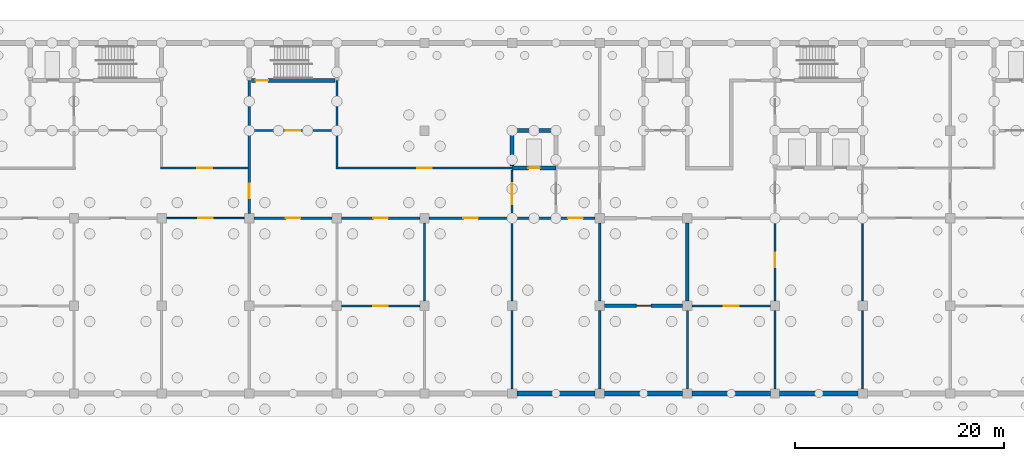
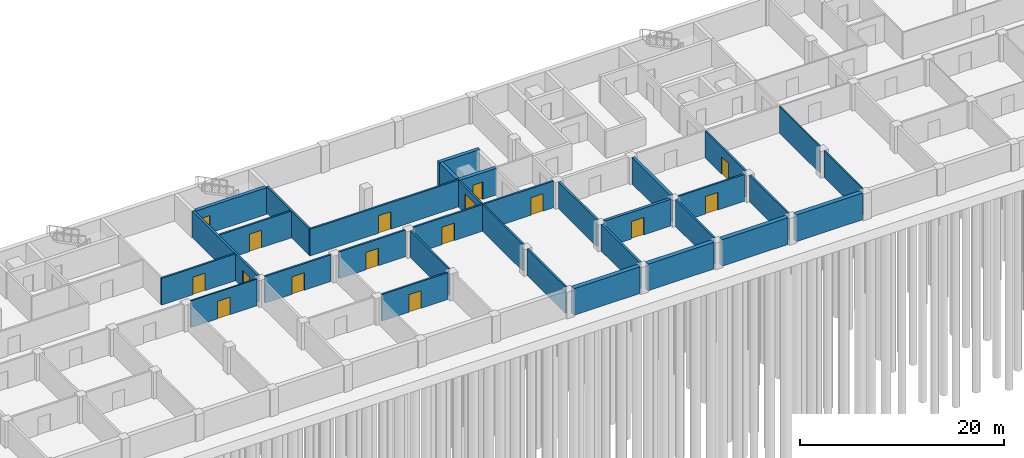
# One storey, part 6 of 11: 32 walls, 16 doors, 16 openings.
"""IFC4 building model written with IfcOpenShell, lengths in metres."""

from ifc_helpers import new_model, si_unit, direction, frame, frame_2d, origin, place, context, subcontext, project, spatial, rectangle, extrude, material, layer, layer_set, type_object, element, fill, save


model = new_model("IFC4")

# Units and contexts
model_context = context("Model", 3, precision=1e-05, world=origin(), true_north=direction((0.0, 1.0)))
body_context = subcontext(model_context, "Body", "Model", "MODEL_VIEW")
ifc_project = project(units=[si_unit("LENGTHUNIT", "METRE"), si_unit("AREAUNIT", "SQUARE_METRE"), si_unit("VOLUMEUNIT", "CUBIC_METRE"), si_unit("PLANEANGLEUNIT", "RADIAN"), si_unit("MASSUNIT", "GRAM", prefix="KILO")], contexts=[model_context])

# Site, building, storey
site_placement = place(None, origin())
site = spatial("IfcSite", under=ifc_project, at=site_placement, CompositionType="ELEMENT")
building_placement = place(site_placement, origin())
building = spatial("IfcBuilding", under=site, at=building_placement, Name="Yavir Park General Hospital", CompositionType="ELEMENT")
storey_placement = place(building_placement, frame((0.0, 0.0, -15.0)))
storey = spatial("IfcBuildingStorey", under=building, at=storey_placement, Name="B4", CompositionType="ELEMENT", Elevation=-15.0)

# Wall, opening, door
ifc_material_1 = material(Name="Block wall with 100 mm insulated panel lining")
ifc_layer_1 = layer(ifc_material_1, 0.320068359375)
ifc_layer_set_1 = layer_set([ifc_layer_1], Name="Block wall with 100 mm insulated panel lining")
wall_type_1 = type_object("IfcWallType", Name="Cold-store insulated wall 320, EI 60", PredefinedType="SOLIDWALL", material=ifc_layer_set_1)
wall_1_placement = place(storey_placement, frame((101.25, 8.39990234375, 0.0), z_axis=(0.0, 0.0, 1.0), x_axis=(1.0, 0.0, 0.0)))
wall_1 = element("IfcWall", 1, at=wall_1_placement, inside=storey, type_object=wall_type_1, Name="CS320 B4-007", PredefinedType="SOLIDWALL", context=body_context, shape_type="SweptSolid", body=[
    extrude(rectangle(XDim=7.5, YDim=0.320068359375, at=frame_2d((3.75, 0.0))), origin(), (0.0, 0.0, 1.0), 3.199951171875),
])
opening_1_placement = place(wall_1_placement, frame((3.050048828125, 0.0, 0.0)))
opening_1 = element("IfcOpeningElement", 2, at=opening_1_placement, cuts=wall_1, Name="Opening B4.D007", PredefinedType="OPENING", context=body_context, shape_type="SweptSolid", body=[
    extrude(rectangle(XDim=1.39990234375, YDim=2.10009765625, at=frame_2d((0.699951171875, 1.050048828125))), frame((0.0, 0.169921875, 0.0), z_axis=(0.0, -1.0, 0.0), x_axis=(1.0, 0.0, 0.0)), (0.0, 0.0, 1.0), 0.340087890625),
])
ifc_material_2 = material(Name="Insulated sandwich-panel leaves, 100 mm polyurethane core")
door_type_1 = type_object("IfcDoorType", Name="Insulated cold-store door 1400 x 2100, EI 60", OperationType="DOUBLE_DOOR_SINGLE_SWING", PredefinedType="DOOR", material=ifc_material_2)
door_1_placement = place(opening_1_placement, origin())
door_1 = element("IfcDoor", 3, at=door_1_placement, inside=storey, type_object=door_type_1, Name="B4.D007", OperationType="SINGLE_SWING_LEFT", OverallHeight=2.10009765625, OverallWidth=1.39990234375, PredefinedType="DOOR", context=body_context, shape_type="SweptSolid", body=[
    extrude(rectangle(XDim=1.39990234375, YDim=2.10009765625, at=frame_2d((0.699951171875, 1.050048828125))), frame((0.0, 0.050048828125, 0.0), z_axis=(0.0, -1.0, 0.0), x_axis=(1.0, 0.0, 0.0)), (0.0, 0.0, 1.0), 0.10009765625),
])
fill(opening_1, door_1)

# Wall
wall_2_placement = place(storey_placement, frame((109.199951171875, 8.85009765625, 0.0), z_axis=(0.0, 0.0, 1.0), x_axis=(0.0, 1.0, 0.0)))
element("IfcWall", 4, at=wall_2_placement, inside=storey, type_object=wall_type_1, Name="CS320 B4-112", PredefinedType="SOLIDWALL", context=body_context, shape_type="SweptSolid", body=[
    extrude(rectangle(XDim=7.5, YDim=0.320068359375, at=frame_2d((3.75, 0.0))), origin(), (0.0, 0.0, 1.0), 3.199951171875),
])

# Wall, opening, door
ifc_material_3 = material(Name="Concrete C30/37", Category="concrete")
ifc_layer_2 = layer(ifc_material_3, 0.25)
ifc_layer_set_2 = layer_set([ifc_layer_2], Name="Concrete C30/37")
wall_type_2 = type_object("IfcWallType", Name="Compartment fire wall 250, REI 150", PredefinedType="SOLIDWALL", material=ifc_layer_set_2)
wall_3_placement = place(storey_placement, frame((67.199951171875, 17.25, 0.0), z_axis=(0.0, 0.0, 1.0), x_axis=(0.0, 1.0, 0.0)))
wall_3 = element("IfcWall", 5, at=wall_3_placement, inside=storey, type_object=wall_type_2, Name="FW25 B4-090", PredefinedType="SOLIDWALL", context=body_context, shape_type="SweptSolid", body=[
    extrude(rectangle(XDim=12.75, YDim=0.25, at=frame_2d((6.375, 0.0))), origin(), (0.0, 0.0, 1.0), 3.199951171875),
])
opening_2_placement = place(wall_3_placement, frame((1.47509765625, 0.0, 0.0)))
opening_2 = element("IfcOpeningElement", 6, at=opening_2_placement, cuts=wall_3, Name="Opening B4.D061", PredefinedType="OPENING", context=body_context, shape_type="SweptSolid", body=[
    extrude(rectangle(XDim=1.39990234375, YDim=2.10009765625, at=frame_2d((0.699951171875, 1.050048828125))), frame((0.0, 0.135009765625, 0.0), z_axis=(0.0, -1.0, 0.0), x_axis=(1.0, 0.0, 0.0)), (0.0, 0.0, 1.0), 0.27001953125),
])
ifc_material_4 = material(Name="Steel frame, fire-resisting leaves with vision panels", Category="steel")
door_type_2 = type_object("IfcDoorType", Name="Double fire door with vision panels 1400 x 2100, EI 60", OperationType="DOUBLE_DOOR_SINGLE_SWING", PredefinedType="DOOR", material=ifc_material_4)
door_2_placement = place(opening_2_placement, origin())
door_2 = element("IfcDoor", 7, at=door_2_placement, inside=storey, type_object=door_type_2, Name="B4.D061", OperationType="SINGLE_SWING_LEFT", OverallHeight=2.10009765625, OverallWidth=1.39990234375, PredefinedType="DOOR", context=body_context, shape_type="SweptSolid", body=[
    extrude(rectangle(XDim=1.39990234375, YDim=2.10009765625, at=frame_2d((0.699951171875, 1.050048828125))), frame((0.0, 0.030029296875, 0.0), z_axis=(0.0, -1.0, 0.0), x_axis=(1.0, 0.0, 0.0)), (0.0, 0.0, 1.0), 0.06005859375),
])
fill(opening_2, door_2)

# Walls
for number, where, z_axis, x_axis, name in (
    (8, (100.800048828125, 0.449951171875, 0.0), (0.0, 0.0, 1.0), (0.0, 1.0, 0.0), "FW25 B4-104"),
    (9, (100.800048828125, 8.85009765625, 0.0), (0.0, 0.0, 1.0), (0.0, 1.0, 0.0), "FW25 B4-105"),
):
    element("IfcWall", number, at=place(storey_placement, frame(where, z_axis=z_axis, x_axis=x_axis)), inside=storey, type_object=wall_type_2, Name=name, PredefinedType="SOLIDWALL", context=body_context, shape_type="SweptSolid", body=[
        extrude(rectangle(XDim=7.5, YDim=0.25, at=frame_2d((3.75, 0.0))), origin(), (0.0, 0.0, 1.0), 3.199951171875),
    ])

# Wall, opening, door
ifc_material_5 = material(Name="Double gypsum board fire partition on steel studs", Category="steel")
ifc_layer_3 = layer(ifc_material_5, 0.199951171875)
ifc_layer_set_3 = layer_set([ifc_layer_3], Name="Double gypsum board fire partition on steel studs")
wall_type_3 = type_object("IfcWallType", Name="Fire-rated partition 200, EI 60", PredefinedType="PARTITIONING", material=ifc_layer_set_3)
wall_4_placement = place(storey_placement, frame((76.050048828125, 8.39990234375, 0.0), z_axis=(0.0, 0.0, 1.0), x_axis=(1.0, 0.0, 0.0)))
wall_4 = element("IfcWall", 10, at=wall_4_placement, inside=storey, type_object=wall_type_3, Name="FP20 B4-006", PredefinedType="PARTITIONING", context=body_context, shape_type="SweptSolid", body=[
    extrude(rectangle(XDim=7.5, YDim=0.199951171875, at=frame_2d((3.75, 0.0))), origin(), (0.0, 0.0, 1.0), 3.199951171875),
])
opening_3_placement = place(wall_4_placement, frame((3.050048828125, 0.0, 0.0)))
opening_3 = element("IfcOpeningElement", 11, at=opening_3_placement, cuts=wall_4, Name="Opening B4.D006", PredefinedType="OPENING", context=body_context, shape_type="SweptSolid", body=[
    extrude(rectangle(XDim=1.39990234375, YDim=2.10009765625, at=frame_2d((0.699951171875, 1.050048828125))), frame((0.0, 0.10986328125, 0.0), z_axis=(0.0, -1.0, 0.0), x_axis=(1.0, 0.0, 0.0)), (0.0, 0.0, 1.0), 0.219970703125),
])
ifc_material_6 = material(Name="Steel frame, fire-resisting timber leaves", Category="steel")
door_type_3 = type_object("IfcDoorType", Name="Double fire door 1400 x 2100, EI 60", OperationType="DOUBLE_DOOR_SINGLE_SWING", PredefinedType="DOOR", material=ifc_material_6)
door_3_placement = place(opening_3_placement, origin())
door_3 = element("IfcDoor", 12, at=door_3_placement, inside=storey, type_object=door_type_3, Name="B4.D006", OperationType="SINGLE_SWING_LEFT", OverallHeight=2.10009765625, OverallWidth=1.39990234375, PredefinedType="DOOR", context=body_context, shape_type="SweptSolid", body=[
    extrude(rectangle(XDim=1.39990234375, YDim=2.10009765625, at=frame_2d((0.699951171875, 1.050048828125))), frame((0.0, 0.02490234375, 0.0), z_axis=(0.0, -1.0, 0.0), x_axis=(1.0, 0.0, 0.0)), (0.0, 0.0, 1.0), 0.050048828125),
])
fill(opening_3, door_3)

wall_5_placement = place(storey_placement, frame((109.64990234375, 8.39990234375, 0.0), z_axis=(0.0, 0.0, 1.0), x_axis=(1.0, 0.0, 0.0)))
wall_5 = element("IfcWall", 13, at=wall_5_placement, inside=storey, type_object=wall_type_3, Name="FP20 B4-008", PredefinedType="PARTITIONING", context=body_context, shape_type="SweptSolid", body=[
    extrude(rectangle(XDim=7.5, YDim=0.199951171875, at=frame_2d((3.75, 0.0))), origin(), (0.0, 0.0, 1.0), 3.199951171875),
])
opening_4_placement = place(wall_5_placement, frame((3.050048828125, 0.0, 0.0)))
opening_4 = element("IfcOpeningElement", 14, at=opening_4_placement, cuts=wall_5, Name="Opening B4.D008", PredefinedType="OPENING", context=body_context, shape_type="SweptSolid", body=[
    extrude(rectangle(XDim=1.39990234375, YDim=2.10009765625, at=frame_2d((0.699951171875, 1.050048828125))), frame((0.0, 0.10986328125, 0.0), z_axis=(0.0, -1.0, 0.0), x_axis=(1.0, 0.0, 0.0)), (0.0, 0.0, 1.0), 0.219970703125),
])
door_4_placement = place(opening_4_placement, origin())
door_4 = element("IfcDoor", 15, at=door_4_placement, inside=storey, type_object=door_type_3, Name="B4.D008", OperationType="SINGLE_SWING_LEFT", OverallHeight=2.10009765625, OverallWidth=1.39990234375, PredefinedType="DOOR", context=body_context, shape_type="SweptSolid", body=[
    extrude(rectangle(XDim=1.39990234375, YDim=2.10009765625, at=frame_2d((0.699951171875, 1.050048828125))), frame((0.0, 0.02490234375, 0.0), z_axis=(0.0, -1.0, 0.0), x_axis=(1.0, 0.0, 0.0)), (0.0, 0.0, 1.0), 0.050048828125),
])
fill(opening_4, door_4)

wall_6_placement = place(storey_placement, frame((67.64990234375, 16.800048828125, 0.0), z_axis=(0.0, 0.0, 1.0), x_axis=(1.0, 0.0, 0.0)))
wall_6 = element("IfcWall", 16, at=wall_6_placement, inside=storey, type_object=wall_type_3, Name="FP20 B4-018", PredefinedType="PARTITIONING", context=body_context, shape_type="SweptSolid", body=[
    extrude(rectangle(XDim=7.5, YDim=0.199951171875, at=frame_2d((3.75, 0.0))), origin(), (0.0, 0.0, 1.0), 3.199951171875),
])
opening_5_placement = place(wall_6_placement, frame((3.050048828125, 0.0, 0.0)))
opening_5 = element("IfcOpeningElement", 17, at=opening_5_placement, cuts=wall_6, Name="Opening B4.D019", PredefinedType="OPENING", context=body_context, shape_type="SweptSolid", body=[
    extrude(rectangle(XDim=1.39990234375, YDim=2.10009765625, at=frame_2d((0.699951171875, 1.050048828125))), frame((0.0, 0.10986328125, 0.0), z_axis=(0.0, -1.0, 0.0), x_axis=(1.0, 0.0, 0.0)), (0.0, 0.0, 1.0), 0.219970703125),
])
door_5_placement = place(opening_5_placement, origin())
door_5 = element("IfcDoor", 18, at=door_5_placement, inside=storey, type_object=door_type_3, Name="B4.D019", OperationType="SINGLE_SWING_LEFT", OverallHeight=2.10009765625, OverallWidth=1.39990234375, PredefinedType="DOOR", context=body_context, shape_type="SweptSolid", body=[
    extrude(rectangle(XDim=1.39990234375, YDim=2.10009765625, at=frame_2d((0.699951171875, 1.050048828125))), frame((0.0, 0.02490234375, 0.0), z_axis=(0.0, -1.0, 0.0), x_axis=(1.0, 0.0, 0.0)), (0.0, 0.0, 1.0), 0.050048828125),
])
fill(opening_5, door_5)

wall_7_placement = place(storey_placement, frame((76.050048828125, 16.800048828125, 0.0), z_axis=(0.0, 0.0, 1.0), x_axis=(1.0, 0.0, 0.0)))
wall_7 = element("IfcWall", 19, at=wall_7_placement, inside=storey, type_object=wall_type_3, Name="FP20 B4-019", PredefinedType="PARTITIONING", context=body_context, shape_type="SweptSolid", body=[
    extrude(rectangle(XDim=7.5, YDim=0.199951171875, at=frame_2d((3.75, 0.0))), origin(), (0.0, 0.0, 1.0), 3.199951171875),
])
opening_6_placement = place(wall_7_placement, frame((3.050048828125, 0.0, 0.0)))
opening_6 = element("IfcOpeningElement", 20, at=opening_6_placement, cuts=wall_7, Name="Opening B4.D020", PredefinedType="OPENING", context=body_context, shape_type="SweptSolid", body=[
    extrude(rectangle(XDim=1.39990234375, YDim=2.10009765625, at=frame_2d((0.699951171875, 1.050048828125))), frame((0.0, 0.10986328125, 0.0), z_axis=(0.0, -1.0, 0.0), x_axis=(1.0, 0.0, 0.0)), (0.0, 0.0, 1.0), 0.219970703125),
])
door_6_placement = place(opening_6_placement, origin())
door_6 = element("IfcDoor", 21, at=door_6_placement, inside=storey, type_object=door_type_3, Name="B4.D020", OperationType="SINGLE_SWING_LEFT", OverallHeight=2.10009765625, OverallWidth=1.39990234375, PredefinedType="DOOR", context=body_context, shape_type="SweptSolid", body=[
    extrude(rectangle(XDim=1.39990234375, YDim=2.10009765625, at=frame_2d((0.699951171875, 1.050048828125))), frame((0.0, 0.02490234375, 0.0), z_axis=(0.0, -1.0, 0.0), x_axis=(1.0, 0.0, 0.0)), (0.0, 0.0, 1.0), 0.050048828125),
])
fill(opening_6, door_6)

# Wall, openings, doors
wall_8_placement = place(storey_placement, frame((84.449951171875, 16.800048828125, 0.0), z_axis=(0.0, 0.0, 1.0), x_axis=(1.0, 0.0, 0.0)))
wall_8 = element("IfcWall", 22, at=wall_8_placement, inside=storey, type_object=wall_type_3, Name="FP20 B4-020", PredefinedType="PARTITIONING", context=body_context, shape_type="SweptSolid", body=[
    extrude(rectangle(XDim=15.900146484375, YDim=0.199951171875, at=frame_2d((7.9501953125, 0.0))), origin(), (0.0, 0.0, 1.0), 3.199951171875),
])
opening_7_placement = place(wall_8_placement, frame((3.27490234375, 0.0, 0.0)))
opening_7 = element("IfcOpeningElement", 23, at=opening_7_placement, cuts=wall_8, Name="Opening B4.D021", PredefinedType="OPENING", context=body_context, shape_type="SweptSolid", body=[
    extrude(rectangle(XDim=1.39990234375, YDim=2.10009765625, at=frame_2d((0.699951171875, 1.050048828125))), frame((0.0, 0.10986328125, 0.0), z_axis=(0.0, -1.0, 0.0), x_axis=(1.0, 0.0, 0.0)), (0.0, 0.0, 1.0), 0.219970703125),
])
opening_8_placement = place(wall_8_placement, frame((13.324951171875, 0.0, 0.0)))
opening_8 = element("IfcOpeningElement", 24, at=opening_8_placement, cuts=wall_8, Name="Opening B4.D022", PredefinedType="OPENING", context=body_context, shape_type="SweptSolid", body=[
    extrude(rectangle(XDim=1.39990234375, YDim=2.10009765625, at=frame_2d((0.699951171875, 1.050048828125))), frame((0.0, 0.10986328125, 0.0), z_axis=(0.0, -1.0, 0.0), x_axis=(1.0, 0.0, 0.0)), (0.0, 0.0, 1.0), 0.219970703125),
])
door_7_placement = place(opening_7_placement, origin())
door_7 = element("IfcDoor", 25, at=door_7_placement, inside=storey, type_object=door_type_3, Name="B4.D021", OperationType="SINGLE_SWING_RIGHT", OverallHeight=2.10009765625, OverallWidth=1.39990234375, PredefinedType="DOOR", context=body_context, shape_type="SweptSolid", body=[
    extrude(rectangle(XDim=1.39990234375, YDim=2.10009765625, at=frame_2d((0.699951171875, 1.050048828125))), frame((0.0, 0.02490234375, 0.0), z_axis=(0.0, -1.0, 0.0), x_axis=(1.0, 0.0, 0.0)), (0.0, 0.0, 1.0), 0.050048828125),
])
fill(opening_7, door_7)
door_8_placement = place(opening_8_placement, origin())
door_8 = element("IfcDoor", 26, at=door_8_placement, inside=storey, type_object=door_type_3, Name="B4.D022", OperationType="SINGLE_SWING_RIGHT", OverallHeight=2.10009765625, OverallWidth=1.39990234375, PredefinedType="DOOR", context=body_context, shape_type="SweptSolid", body=[
    extrude(rectangle(XDim=1.39990234375, YDim=2.10009765625, at=frame_2d((0.699951171875, 1.050048828125))), frame((0.0, 0.02490234375, 0.0), z_axis=(0.0, -1.0, 0.0), x_axis=(1.0, 0.0, 0.0)), (0.0, 0.0, 1.0), 0.050048828125),
])
fill(opening_8, door_8)

# Wall, opening, door
wall_9_placement = place(storey_placement, frame((58.699951171875, 21.60009765625, 0.0), z_axis=(0.0, 0.0, 1.0), x_axis=(1.0, 0.0, 0.0)))
wall_9 = element("IfcWall", 27, at=wall_9_placement, inside=storey, type_object=wall_type_3, Name="FP20 B4-031", PredefinedType="PARTITIONING", context=body_context, shape_type="SweptSolid", body=[
    extrude(rectangle(XDim=8.375, YDim=0.199951171875, at=frame_2d((4.1875, 0.0))), origin(), (0.0, 0.0, 1.0), 3.199951171875),
])
opening_9_placement = place(wall_9_placement, frame((3.53759765625, 0.0, 0.0)))
opening_9 = element("IfcOpeningElement", 28, at=opening_9_placement, cuts=wall_9, Name="Opening B4.D034", PredefinedType="OPENING", context=body_context, shape_type="SweptSolid", body=[
    extrude(rectangle(XDim=1.39990234375, YDim=2.10009765625, at=frame_2d((0.699951171875, 1.050048828125))), frame((0.0, 0.10986328125, 0.0), z_axis=(0.0, -1.0, 0.0), x_axis=(1.0, 0.0, 0.0)), (0.0, 0.0, 1.0), 0.219970703125),
])
door_9_placement = place(opening_9_placement, origin())
door_9 = element("IfcDoor", 29, at=door_9_placement, inside=storey, type_object=door_type_3, Name="B4.D034", OperationType="SINGLE_SWING_RIGHT", OverallHeight=2.10009765625, OverallWidth=1.39990234375, PredefinedType="DOOR", context=body_context, shape_type="SweptSolid", body=[
    extrude(rectangle(XDim=1.39990234375, YDim=2.10009765625, at=frame_2d((0.699951171875, 1.050048828125))), frame((0.0, 0.02490234375, 0.0), z_axis=(0.0, -1.0, 0.0), x_axis=(1.0, 0.0, 0.0)), (0.0, 0.0, 1.0), 0.050048828125),
])
fill(opening_9, door_9)

wall_10_placement = place(storey_placement, frame((75.5, 21.60009765625, 0.0), z_axis=(0.0, 0.0, 1.0), x_axis=(1.0, 0.0, 0.0)))
wall_10 = element("IfcWall", 30, at=wall_10_placement, inside=storey, type_object=wall_type_3, Name="FP20 B4-032", PredefinedType="PARTITIONING", context=body_context, shape_type="SweptSolid", body=[
    extrude(rectangle(XDim=16.89990234375, YDim=0.199951171875, at=frame_2d((8.449951171875, 0.0))), origin(), (0.0, 0.0, 1.0), 3.199951171875),
])
opening_10_placement = place(wall_10_placement, frame((7.800048828125, 0.0, 0.0)))
opening_10 = element("IfcOpeningElement", 31, at=opening_10_placement, cuts=wall_10, Name="Opening B4.D035", PredefinedType="OPENING", context=body_context, shape_type="SweptSolid", body=[
    extrude(rectangle(XDim=1.39990234375, YDim=2.10009765625, at=frame_2d((0.699951171875, 1.050048828125))), frame((0.0, 0.10986328125, 0.0), z_axis=(0.0, -1.0, 0.0), x_axis=(1.0, 0.0, 0.0)), (0.0, 0.0, 1.0), 0.219970703125),
])
door_10_placement = place(opening_10_placement, origin())
door_10 = element("IfcDoor", 32, at=door_10_placement, inside=storey, type_object=door_type_3, Name="B4.D035", OperationType="SINGLE_SWING_RIGHT", OverallHeight=2.10009765625, OverallWidth=1.39990234375, PredefinedType="DOOR", context=body_context, shape_type="SweptSolid", body=[
    extrude(rectangle(XDim=1.39990234375, YDim=2.10009765625, at=frame_2d((0.699951171875, 1.050048828125))), frame((0.0, 0.02490234375, 0.0), z_axis=(0.0, -1.0, 0.0), x_axis=(1.0, 0.0, 0.0)), (0.0, 0.0, 1.0), 0.050048828125),
])
fill(opening_10, door_10)

wall_11_placement = place(storey_placement, frame((67.324951171875, 25.199951171875, 0.0), z_axis=(0.0, 0.0, 1.0), x_axis=(1.0, 0.0, 0.0)))
wall_11 = element("IfcWall", 33, at=wall_11_placement, inside=storey, type_object=wall_type_3, Name="FP20 B4-044", PredefinedType="PARTITIONING", context=body_context, shape_type="SweptSolid", body=[
    extrude(rectangle(XDim=8.175048828125, YDim=0.199951171875, at=frame_2d((4.08740234375, 0.0))), origin(), (0.0, 0.0, 1.0), 3.199951171875),
])
opening_11_placement = place(wall_11_placement, frame((3.387451171875, 0.0, 0.0)))
opening_11 = element("IfcOpeningElement", 34, at=opening_11_placement, cuts=wall_11, Name="Opening B4.D045", PredefinedType="OPENING", context=body_context, shape_type="SweptSolid", body=[
    extrude(rectangle(XDim=1.39990234375, YDim=2.10009765625, at=frame_2d((0.699951171875, 1.050048828125))), frame((0.0, 0.10986328125, 0.0), z_axis=(0.0, -1.0, 0.0), x_axis=(1.0, 0.0, 0.0)), (0.0, 0.0, 1.0), 0.219970703125),
])
door_11_placement = place(opening_11_placement, origin())
door_11 = element("IfcDoor", 35, at=door_11_placement, inside=storey, type_object=door_type_2, Name="B4.D045", OperationType="SINGLE_SWING_RIGHT", OverallHeight=2.10009765625, OverallWidth=1.39990234375, PredefinedType="DOOR", context=body_context, shape_type="SweptSolid", body=[
    extrude(rectangle(XDim=1.39990234375, YDim=2.10009765625, at=frame_2d((0.699951171875, 1.050048828125))), frame((0.0, 0.030029296875, 0.0), z_axis=(0.0, -1.0, 0.0), x_axis=(1.0, 0.0, 0.0)), (0.0, 0.0, 1.0), 0.06005859375),
])
fill(opening_11, door_11)

# Walls
wall_12_placement = place(storey_placement, frame((75.60009765625, 21.699951171875, 0.0), z_axis=(0.0, 0.0, 1.0), x_axis=(0.0, 1.0, 0.0)))
element("IfcWall", 36, at=wall_12_placement, inside=storey, type_object=wall_type_3, Name="FP20 B4-094", PredefinedType="PARTITIONING", context=body_context, shape_type="SweptSolid", body=[
    extrude(rectangle(XDim=8.300048828125, YDim=0.199951171875, at=frame_2d((4.14990234375, 0.0))), origin(), (0.0, 0.0, 1.0), 3.199951171875),
])
for number, where, z_axis, x_axis, name in (
    (37, (84.0, 8.85009765625, 0.0), (0.0, 0.0, 1.0), (0.0, 1.0, 0.0), "FP20 B4-097"),
    (38, (92.39990234375, 0.449951171875, 0.0), (0.0, 0.0, 1.0), (0.0, 1.0, 0.0), "FP20 B4-098"),
):
    element("IfcWall", number, at=place(storey_placement, frame(where, z_axis=z_axis, x_axis=x_axis)), inside=storey, type_object=wall_type_3, Name=name, PredefinedType="PARTITIONING", context=body_context, shape_type="SweptSolid", body=[
        extrude(rectangle(XDim=7.5, YDim=0.199951171875, at=frame_2d((3.75, 0.0))), origin(), (0.0, 0.0, 1.0), 3.199951171875),
    ])
wall_13_placement = place(storey_placement, frame((92.39990234375, 8.85009765625, 0.0), z_axis=(0.0, 0.0, 1.0), x_axis=(0.0, 1.0, 0.0)))
element("IfcWall", 39, at=wall_13_placement, inside=storey, type_object=wall_type_3, Name="FP20 B4-099", PredefinedType="PARTITIONING", context=body_context, shape_type="SweptSolid", body=[
    extrude(rectangle(XDim=7.849853515625, YDim=0.199951171875, at=frame_2d((3.9248046875, 0.0))), origin(), (0.0, 0.0, 1.0), 3.199951171875),
])

# Wall, opening, door
wall_14_placement = place(storey_placement, frame((92.39990234375, 16.89990234375, 0.0), z_axis=(0.0, 0.0, 1.0), x_axis=(0.0, 1.0, 0.0)))
wall_14 = element("IfcWall", 40, at=wall_14_placement, inside=storey, type_object=wall_type_3, Name="FP20 B4-100", PredefinedType="PARTITIONING", context=body_context, shape_type="SweptSolid", body=[
    extrude(rectangle(XDim=4.5, YDim=0.199951171875, at=frame_2d((2.25, 0.0))), origin(), (0.0, 0.0, 1.0), 3.199951171875),
])
opening_12_placement = place(wall_14_placement, frame((1.25, 0.0, 0.0)))
opening_12 = element("IfcOpeningElement", 41, at=opening_12_placement, cuts=wall_14, Name="Opening B4.D062", PredefinedType="OPENING", context=body_context, shape_type="SweptSolid", body=[
    extrude(rectangle(XDim=2.0, YDim=2.39990234375, at=frame_2d((1.0, 1.199951171875))), frame((0.0, 0.10986328125, 0.0), z_axis=(0.0, -1.0, 0.0), x_axis=(1.0, 0.0, 0.0)), (0.0, 0.0, 1.0), 0.219970703125),
])
ifc_material_7 = material(Name="Steel frame, fire-resisting leaves with vision panels", Category="steel")
door_type_4 = type_object("IfcDoorType", Name="Double fire door with vision panels 2000 x 2400, EI 60", OperationType="DOUBLE_DOOR_SINGLE_SWING", PredefinedType="DOOR", material=ifc_material_7)
door_12_placement = place(opening_12_placement, origin())
door_12 = element("IfcDoor", 42, at=door_12_placement, inside=storey, type_object=door_type_4, Name="B4.D062", OperationType="SINGLE_SWING_RIGHT", OverallHeight=2.39990234375, OverallWidth=2.0, PredefinedType="DOOR", context=body_context, shape_type="SweptSolid", body=[
    extrude(rectangle(XDim=2.0, YDim=2.39990234375, at=frame_2d((1.0, 1.199951171875))), frame((0.0, 0.030029296875, 0.0), z_axis=(0.0, -1.0, 0.0), x_axis=(1.0, 0.0, 0.0)), (0.0, 0.0, 1.0), 0.06005859375),
])
fill(opening_12, door_12)

# Walls
for number, where, z_axis, x_axis, name in (
    (43, (109.199951171875, 0.449951171875, 0.0), (0.0, 0.0, 1.0), (0.0, 1.0, 0.0), "FP20 B4-111"),
    (44, (117.60009765625, 0.449951171875, 0.0), (0.0, 0.0, 1.0), (0.0, 1.0, 0.0), "FP20 B4-116"),
):
    element("IfcWall", number, at=place(storey_placement, frame(where, z_axis=z_axis, x_axis=x_axis)), inside=storey, type_object=wall_type_3, Name=name, PredefinedType="PARTITIONING", context=body_context, shape_type="SweptSolid", body=[
        extrude(rectangle(XDim=7.5, YDim=0.199951171875, at=frame_2d((3.75, 0.0))), origin(), (0.0, 0.0, 1.0), 3.199951171875),
    ])

# Wall, opening, door
wall_15_placement = place(storey_placement, frame((117.60009765625, 8.85009765625, 0.0), z_axis=(0.0, 0.0, 1.0), x_axis=(0.0, 1.0, 0.0)))
wall_15 = element("IfcWall", 45, at=wall_15_placement, inside=storey, type_object=wall_type_3, Name="FP20 B4-117", PredefinedType="PARTITIONING", context=body_context, shape_type="SweptSolid", body=[
    extrude(rectangle(XDim=7.849853515625, YDim=0.199951171875, at=frame_2d((3.9248046875, 0.0))), origin(), (0.0, 0.0, 1.0), 3.199951171875),
])
opening_13_placement = place(wall_15_placement, frame((3.22509765625, 0.0, 0.0)))
opening_13 = element("IfcOpeningElement", 46, at=opening_13_placement, cuts=wall_15, Name="Opening B4.D065", PredefinedType="OPENING", context=body_context, shape_type="SweptSolid", body=[
    extrude(rectangle(XDim=1.39990234375, YDim=2.10009765625, at=frame_2d((0.699951171875, 1.050048828125))), frame((0.0, 0.10986328125, 0.0), z_axis=(0.0, -1.0, 0.0), x_axis=(1.0, 0.0, 0.0)), (0.0, 0.0, 1.0), 0.219970703125),
])
door_13_placement = place(opening_13_placement, origin())
door_13 = element("IfcDoor", 47, at=door_13_placement, inside=storey, type_object=door_type_3, Name="B4.D065", OperationType="SINGLE_SWING_LEFT", OverallHeight=2.10009765625, OverallWidth=1.39990234375, PredefinedType="DOOR", context=body_context, shape_type="SweptSolid", body=[
    extrude(rectangle(XDim=1.39990234375, YDim=2.10009765625, at=frame_2d((0.699951171875, 1.050048828125))), frame((0.0, 0.02490234375, 0.0), z_axis=(0.0, -1.0, 0.0), x_axis=(1.0, 0.0, 0.0)), (0.0, 0.0, 1.0), 0.050048828125),
])
fill(opening_13, door_13)

ifc_material_8 = material(Name="Gypsum board partition on steel studs", Category="steel")
ifc_layer_4 = layer(ifc_material_8, 0.14990234375)
ifc_layer_set_4 = layer_set([ifc_layer_4], Name="Gypsum board partition on steel studs")
wall_type_4 = type_object("IfcWallType", Name="Gypsum board partition 150", PredefinedType="PARTITIONING", material=ifc_layer_set_4)
wall_16_placement = place(storey_placement, frame((59.25, 16.800048828125, 0.0), z_axis=(0.0, 0.0, 1.0), x_axis=(1.0, 0.0, 0.0)))
wall_16 = element("IfcWall", 48, at=wall_16_placement, inside=storey, type_object=wall_type_4, Name="P15 B4-017", PredefinedType="PARTITIONING", context=body_context, shape_type="SweptSolid", body=[
    extrude(rectangle(XDim=7.5, YDim=0.14990234375, at=frame_2d((3.75, 0.0))), origin(), (0.0, 0.0, 1.0), 3.199951171875),
])
opening_14_placement = place(wall_16_placement, frame((3.050048828125, 0.0, 0.0)))
opening_14 = element("IfcOpeningElement", 49, at=opening_14_placement, cuts=wall_16, Name="Opening B4.D018", PredefinedType="OPENING", context=body_context, shape_type="SweptSolid", body=[
    extrude(rectangle(XDim=1.39990234375, YDim=2.10009765625, at=frame_2d((0.699951171875, 1.050048828125))), frame((0.0, 0.0849609375, 0.0), z_axis=(0.0, -1.0, 0.0), x_axis=(1.0, 0.0, 0.0)), (0.0, 0.0, 1.0), 0.169921875),
])
ifc_material_9 = material(Name="Hollow metal frame, solid-core timber leaf", Category="wood")
door_type_5 = type_object("IfcDoorType", Name="Double swing door 1400 x 2100", OperationType="DOUBLE_DOOR_SINGLE_SWING", PredefinedType="DOOR", material=ifc_material_9)
door_14_placement = place(opening_14_placement, origin())
door_14 = element("IfcDoor", 50, at=door_14_placement, inside=storey, type_object=door_type_5, Name="B4.D018", OperationType="SINGLE_SWING_LEFT", OverallHeight=2.10009765625, OverallWidth=1.39990234375, PredefinedType="DOOR", context=body_context, shape_type="SweptSolid", body=[
    extrude(rectangle(XDim=1.39990234375, YDim=2.10009765625, at=frame_2d((0.699951171875, 1.050048828125))), frame((0.0, 0.02490234375, 0.0), z_axis=(0.0, -1.0, 0.0), x_axis=(1.0, 0.0, 0.0)), (0.0, 0.0, 1.0), 0.050048828125),
])
fill(opening_14, door_14)

# Walls
wall_17_placement = place(storey_placement, frame((126.0, 0.449951171875, 0.0), z_axis=(0.0, 0.0, 1.0), x_axis=(0.0, 1.0, 0.0)))
element("IfcWall", 51, at=wall_17_placement, inside=storey, type_object=wall_type_4, Name="P15 B4-123", PredefinedType="PARTITIONING", context=body_context, shape_type="SweptSolid", body=[
    extrude(rectangle(XDim=7.5, YDim=0.14990234375, at=frame_2d((3.75, 0.0))), origin(), (0.0, 0.0, 1.0), 3.199951171875),
])
wall_18_placement = place(storey_placement, frame((126.0, 8.85009765625, 0.0), z_axis=(0.0, 0.0, 1.0), x_axis=(0.0, 1.0, 0.0)))
element("IfcWall", 52, at=wall_18_placement, inside=storey, type_object=wall_type_4, Name="P15 B4-124", PredefinedType="PARTITIONING", context=body_context, shape_type="SweptSolid", body=[
    extrude(rectangle(XDim=7.849853515625, YDim=0.14990234375, at=frame_2d((3.9248046875, 0.0))), origin(), (0.0, 0.0, 1.0), 3.199951171875),
])
ifc_material_10 = material(Name="Concrete C35/45", Category="concrete")
ifc_layer_5 = layer(ifc_material_10, 0.5)
ifc_layer_set_5 = layer_set([ifc_layer_5], Name="Concrete C35/45")
wall_type_5 = type_object("IfcWallType", Name="RC WALL RETAINING 500", PredefinedType="SOLIDWALL", material=ifc_layer_set_5)
for number, where, z_axis, x_axis, name in (
    (53, (92.85009765625, 0.0, 0.0), (0.0, 0.0, 1.0), (1.0, 0.0, 0.0), "W:RET:B4:S11"),
    (54, (101.25, 0.0, 0.0), (0.0, 0.0, 1.0), (1.0, 0.0, 0.0), "W:RET:B4:S12"),
    (55, (109.64990234375, 0.0, 0.0), (0.0, 0.0, 1.0), (1.0, 0.0, 0.0), "W:RET:B4:S13"),
    (56, (118.050048828125, 0.0, 0.0), (0.0, 0.0, 1.0), (1.0, 0.0, 0.0), "W:RET:B4:S14"),
):
    element("IfcWall", number, at=place(storey_placement, frame(where, z_axis=z_axis, x_axis=x_axis)), inside=storey, type_object=wall_type_5, Name=name, PredefinedType="SOLIDWALL", context=body_context, shape_type="SweptSolid", body=[
        extrude(rectangle(XDim=7.5, YDim=0.5, at=frame_2d((3.75, 0.0))), origin(), (0.0, 0.0, 1.0), 3.199951171875),
    ])

# Wall, opening, door
ifc_material_11 = material(Name="Concrete C35/45", Category="concrete")
ifc_layer_6 = layer(ifc_material_11, 0.39990234375)
ifc_layer_set_6 = layer_set([ifc_layer_6], Name="Concrete C35/45")
wall_type_6 = type_object("IfcWallType", Name="Reinforced concrete core wall 400, REI 150", PredefinedType="SHEAR", material=ifc_layer_set_6)
wall_19_placement = place(storey_placement, frame((92.39990234375, 21.60009765625, 0.0), z_axis=(0.0, 0.0, 1.0), x_axis=(1.0, 0.0, 0.0)))
wall_19 = element("IfcWall", 57, at=wall_19_placement, inside=storey, type_object=wall_type_6, Name="CW40 B4-033", PredefinedType="SHEAR", context=body_context, shape_type="SweptSolid", body=[
    extrude(rectangle(XDim=4.2001953125, YDim=0.39990234375, at=frame_2d((2.10009765625, 0.0))), origin(), (0.0, 0.0, 1.0), 3.199951171875),
])
opening_15_placement = place(wall_19_placement, frame((1.550048828125, 0.0, 0.0)))
opening_15 = element("IfcOpeningElement", 58, at=opening_15_placement, cuts=wall_19, Name="Opening B4.D036", PredefinedType="OPENING", context=body_context, shape_type="SweptSolid", body=[
    extrude(rectangle(XDim=1.10009765625, YDim=2.10009765625, at=frame_2d((0.550048828125, 1.050048828125))), frame((0.0, 0.2099609375, 0.0), z_axis=(0.0, -1.0, 0.0), x_axis=(1.0, 0.0, 0.0)), (0.0, 0.0, 1.0), 0.419921875),
])
ifc_material_12 = material(Name="Stainless steel landing door panels", Category="steel")
door_type_6 = type_object("IfcDoorType", Name="Lift landing door 1100 x 2100, EI 60", OperationType="SLIDING_TO_LEFT", PredefinedType="DOOR", material=ifc_material_12)
door_15_placement = place(opening_15_placement, origin())
door_15 = element("IfcDoor", 59, at=door_15_placement, inside=storey, type_object=door_type_6, Name="B4.D036", OperationType="SLIDING_TO_LEFT", OverallHeight=2.10009765625, OverallWidth=1.10009765625, PredefinedType="DOOR", context=body_context, shape_type="SweptSolid", body=[
    extrude(rectangle(XDim=1.10009765625, YDim=2.10009765625, at=frame_2d((0.550048828125, 1.050048828125))), frame((0.0, 0.02490234375, 0.0), z_axis=(0.0, -1.0, 0.0), x_axis=(1.0, 0.0, 0.0)), (0.0, 0.0, 1.0), 0.050048828125),
])
fill(opening_15, door_15)

# Wall
wall_20_placement = place(storey_placement, frame((92.199951171875, 25.199951171875, 0.0), z_axis=(0.0, 0.0, 1.0), x_axis=(1.0, 0.0, 0.0)))
element("IfcWall", 60, at=wall_20_placement, inside=storey, type_object=wall_type_6, Name="CW40 B4-045", PredefinedType="SHEAR", context=body_context, shape_type="SweptSolid", body=[
    extrude(rectangle(XDim=4.60009765625, YDim=0.39990234375, at=frame_2d((2.300048828125, 0.0))), origin(), (0.0, 0.0, 1.0), 3.199951171875),
])

# Wall, opening, door
wall_21_placement = place(storey_placement, frame((67.39990234375, 30.0, 0.0), z_axis=(0.0, 0.0, 1.0), x_axis=(1.0, 0.0, 0.0)))
wall_21 = element("IfcWall", 61, at=wall_21_placement, inside=storey, type_object=wall_type_6, Name="CW40 B4-052", PredefinedType="SHEAR", context=body_context, shape_type="SweptSolid", body=[
    extrude(rectangle(XDim=8.0, YDim=0.39990234375, at=frame_2d((4.0, 0.0))), origin(), (0.0, 0.0, 1.0), 3.199951171875),
])
opening_16_placement = place(wall_21_placement, frame((0.39990234375, 0.0, 0.0)))
opening_16 = element("IfcOpeningElement", 62, at=opening_16_placement, cuts=wall_21, Name="Opening B4.D051", PredefinedType="OPENING", context=body_context, shape_type="SweptSolid", body=[
    extrude(rectangle(XDim=1.199951171875, YDim=2.10009765625, at=frame_2d((0.60009765625, 1.050048828125))), frame((0.0, 0.2099609375, 0.0), z_axis=(0.0, -1.0, 0.0), x_axis=(1.0, 0.0, 0.0)), (0.0, 0.0, 1.0), 0.419921875),
])
ifc_material_13 = material(Name="Steel frame, fire-resisting timber leaf", Category="steel")
door_type_7 = type_object("IfcDoorType", Name="Fire door 1200 x 2100, EI 60", OperationType="SINGLE_SWING_LEFT", PredefinedType="DOOR", material=ifc_material_13)
door_16_placement = place(opening_16_placement, origin())
door_16 = element("IfcDoor", 63, at=door_16_placement, inside=storey, type_object=door_type_7, Name="B4.D051", OperationType="SINGLE_SWING_RIGHT", OverallHeight=2.10009765625, OverallWidth=1.199951171875, PredefinedType="DOOR", context=body_context, shape_type="SweptSolid", body=[
    extrude(rectangle(XDim=1.199951171875, YDim=2.10009765625, at=frame_2d((0.60009765625, 1.050048828125))), frame((0.0, 0.02490234375, 0.0), z_axis=(0.0, -1.0, 0.0), x_axis=(1.0, 0.0, 0.0)), (0.0, 0.0, 1.0), 0.050048828125),
])
fill(opening_16, door_16)

# Wall
wall_22_placement = place(storey_placement, frame((92.39990234375, 21.800048828125, 0.0), z_axis=(0.0, 0.0, 1.0), x_axis=(0.0, 1.0, 0.0)))
element("IfcWall", 64, at=wall_22_placement, inside=storey, type_object=wall_type_6, Name="CW40 B4-101", PredefinedType="SHEAR", context=body_context, shape_type="SweptSolid", body=[
    extrude(rectangle(XDim=3.199951171875, YDim=0.39990234375, at=frame_2d((1.60009765625, 0.0))), origin(), (0.0, 0.0, 1.0), 3.199951171875),
])

save(model, "model.ifc")
